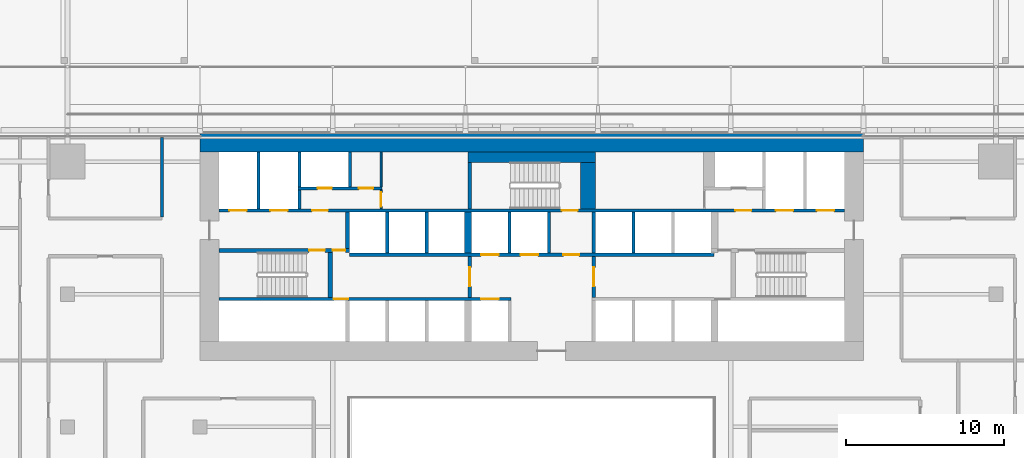
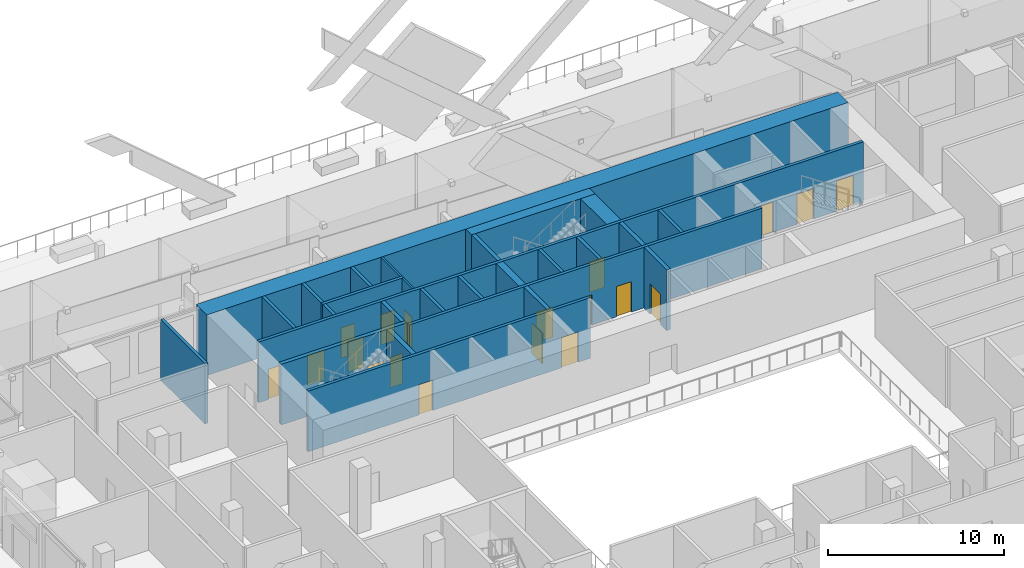
# One storey, part 25 of 60: 27 walls, 19 doors, 19 openings.
"""IFC4 building model written with IfcOpenShell, lengths in metres."""

import ifcopenshell
import ifcopenshell.guid

model = None  # the IFC model being written
_history = None  # IfcOwnerHistory: only IFC2X3 demands one
_inside = {}  # id of a spatial element -> (the spatial element, [elements in it])
_under = {}  # id of a project, library or spatial element -> (it, [spatial elements below it])
_declared = {}  # id of a project -> (the project, [libraries it declares])
_typed = {}  # id of a type object -> (the type object, [elements of that type])
_made_of = {}  # id of a material, layer set ... -> (it, [elements and type objects made of it])


def new_model(schema):
    """Start an empty IFC model of exactly this schema.

    Asked for "IFC4X3", IfcOpenShell would pick the latest addendum, in which some entities
    have other attributes; the version numbers below select the first issue.
    IFC2X3 requires an IfcOwnerHistory on every rooted entity: one is made here for all.
    """
    global model, _history
    if schema == "IFC4X3":
        model = ifcopenshell.file(schema_version=(4, 3, 0, 0))
    else:
        model = ifcopenshell.file(schema=schema)
    _inside.clear()
    _under.clear()
    _declared.clear()
    _typed.clear()
    _made_of.clear()
    _history = None
    if model.schema == "IFC2X3":
        org = make("IfcOrganization", Name="unknown")
        user = make(
            "IfcPersonAndOrganization",
            ThePerson=make("IfcPerson", FamilyName="unknown"),
            TheOrganization=org,
        )
        app = make(
            "IfcApplication",
            ApplicationDeveloper=org,
            Version="unknown",
            ApplicationFullName="unknown",
            ApplicationIdentifier="unknown",
        )
        _history = make(
            "IfcOwnerHistory",
            OwningUser=user,
            OwningApplication=app,
            ChangeAction="ADDED",
            CreationDate=0,
        )
    return model


def make(cls, **values):
    """One entity of the class cls with the attributes given. An attribute that is None is left unset."""
    return model.create_entity(
        cls, **{name: value for name, value in values.items() if value is not None}
    )


def rooted(cls, **values):
    """An entity with a GlobalId (a new one), such as an element, a storey or a relation."""
    return make(cls, GlobalId=ifcopenshell.guid.new(), OwnerHistory=_history, **values)


def si_unit(unit_type, name, prefix=None):
    """IfcSIUnit, for example si_unit("LENGTHUNIT", "METRE", prefix="MILLI")."""
    return make("IfcSIUnit", UnitType=unit_type, Prefix=prefix, Name=name)


def assignment(units):
    """IfcUnitAssignment: the units of a project."""
    return None if units is None else make("IfcUnitAssignment", Units=units)


def point(xyz):
    """IfcCartesianPoint."""
    return None if xyz is None else make("IfcCartesianPoint", Coordinates=xyz)


def direction(xyz):
    """IfcDirection."""
    return None if xyz is None else make("IfcDirection", DirectionRatios=xyz)


def frame(location, z_axis=None, x_axis=None):
    """IfcAxis2Placement3D, a coordinate frame: its origin and axes. An axis left out is left unset."""
    return make(
        "IfcAxis2Placement3D",
        Location=point(location),
        Axis=direction(z_axis),
        RefDirection=direction(x_axis),
    )


def frame_2d(location, x_axis=None):
    """IfcAxis2Placement2D, a coordinate frame in the plane: its origin and x axis."""
    return make(
        "IfcAxis2Placement2D", Location=point(location), RefDirection=direction(x_axis)
    )


def origin():
    """The frame at (0, 0, 0) with its axes left unset."""
    return frame((0.0, 0.0, 0.0))


def place(relative_to, where):
    """IfcLocalPlacement: puts the frame where relative to a parent placement (None: the world)."""
    return make(
        "IfcLocalPlacement", PlacementRelTo=relative_to, RelativePlacement=where
    )


def context(
    kind, dimensions, precision=None, world=None, true_north=None, identifier=None
):
    """IfcGeometricRepresentationContext, for example the 3D "Model" context."""
    return make(
        "IfcGeometricRepresentationContext",
        ContextIdentifier=identifier,
        ContextType=kind,
        CoordinateSpaceDimension=dimensions,
        Precision=precision,
        WorldCoordinateSystem=world,
        TrueNorth=true_north,
    )


def subcontext(parent, identifier, kind, view, scale=None):
    """IfcGeometricRepresentationSubContext, for example "Body" below "Model"."""
    return make(
        "IfcGeometricRepresentationSubContext",
        ContextIdentifier=identifier,
        ContextType=kind,
        ParentContext=parent,
        TargetScale=scale,
        TargetView=view,
    )


def project(units=None, contexts=None):
    """IfcProject with its units and contexts."""
    return rooted(
        "IfcProject",
        Name="project",
        RepresentationContexts=contexts,
        UnitsInContext=assignment(units),
    )


def spatial(cls, under=None, at=None, **own):
    """A site, building, storey or space (cls), placed at a placement, below another one or the project."""
    s = rooted(cls, ObjectPlacement=at, **own)
    if under is not None:
        _under.setdefault(under.id(), (under, []))[1].append(s)
    return s


def profile(cls, at=None, kind="AREA", **sizes):
    """A parametric profile (cls). Its sizes go by their IFC names, for example OverallWidth=200.0."""
    return make(cls, ProfileType=kind, Position=at, **sizes)


def rectangle(**sizes):
    """IfcRectangleProfileDef."""
    return profile("IfcRectangleProfileDef", **sizes)


def extrude(swept, where, along, depth):
    """IfcExtrudedAreaSolid: the profile swept, set in the frame where, extruded along a direction by depth."""
    return make(
        "IfcExtrudedAreaSolid",
        SweptArea=swept,
        Position=where,
        ExtrudedDirection=direction(along),
        Depth=depth,
    )


def shape(context_of_items, identifier, shape_type, items):
    """IfcShapeRepresentation: the items that make up one representation, for example the "Body"."""
    return make(
        "IfcShapeRepresentation",
        ContextOfItems=context_of_items,
        RepresentationIdentifier=identifier,
        RepresentationType=shape_type,
        Items=items,
    )


def material(Name=None, Category=None):
    """IfcMaterial."""
    return make("IfcMaterial", Name=Name, Category=Category)


def layer(
    of_material, thickness, ventilated=None, Name=None, Category=None, Priority=None
):
    """IfcMaterialLayer: one layer of a wall or slab, of a material (None: an air gap)."""
    return make(
        "IfcMaterialLayer",
        Material=of_material,
        LayerThickness=thickness,
        IsVentilated=ventilated,
        Name=Name,
        Category=Category,
        Priority=Priority,
    )


def layer_set(layers, Name=None):
    """IfcMaterialLayerSet."""
    return make("IfcMaterialLayerSet", MaterialLayers=layers, LayerSetName=Name)


def made_of(thing, what):
    """Note that an element or type object is made of a material, layer set ...; save() writes the relation."""
    if what is not None:
        _made_of.setdefault(what.id(), (what, []))[1].append(thing)
    return thing


def type_object(cls, material=None, **own):
    """A type object (cls), such as IfcWallType, which elements share."""
    return made_of(rooted(cls, **own), material)


def element(
    cls,
    number,
    at=None,
    inside=None,
    cuts=None,
    type_object=None,
    material=None,
    context=None,
    identifier="Body",
    shape_type=None,
    held_by="IfcProductDefinitionShape",
    body=None,
    shapes=None,
    **own,
):
    """One element of the class cls, such as IfcWall. Its Tag is "e" and its number.

    at: its placement. inside: the storey or other place that contains it. cuts: it is an
    opening in that element (IfcRelVoidsElement). A single representation is given by context,
    identifier, shape_type and body (its items); several are given by shapes. held_by: the class
    of the entity that holds the representations. save() writes the other relations.
    """
    e = rooted(cls, Tag="e%d" % number, ObjectPlacement=at, **own)
    if body is not None:
        shapes = [shape(context, identifier, shape_type, body)]
    if shapes is not None:
        e.Representation = make(held_by, Representations=shapes)
    if inside is not None:
        _inside.setdefault(inside.id(), (inside, []))[1].append(e)
    if cuts is not None:
        rooted(
            "IfcRelVoidsElement", RelatingBuildingElement=cuts, RelatedOpeningElement=e
        )
    if type_object is not None:
        _typed.setdefault(type_object.id(), (type_object, []))[1].append(e)
    return made_of(e, material)


def fill(opening, filler):
    """IfcRelFillsElement: the door or window that sits in an opening."""
    return rooted(
        "IfcRelFillsElement",
        RelatingOpeningElement=opening,
        RelatedBuildingElement=filler,
    )


def aggregate(whole, parts):
    """IfcRelAggregates: a whole, such as a stair, and the parts it consists of."""
    return rooted("IfcRelAggregates", RelatingObject=whole, RelatedObjects=parts)


def save(model, path):
    """Write the relations noted so far, then the file.

    IfcRelAggregates (storeys below a building ...), IfcRelContainedInSpatialStructure (elements
    in a storey), IfcRelDefinesByType, IfcRelAssociatesMaterial and IfcRelDeclares: one each for
    every whole, place, type object, material and project.
    """
    for whole, parts in _under.values():
        aggregate(whole, parts)
    for where, things in _inside.values():
        rooted(
            "IfcRelContainedInSpatialStructure",
            RelatedElements=things,
            RelatingStructure=where,
        )
    for kind, things in _typed.values():
        rooted("IfcRelDefinesByType", RelatedObjects=things, RelatingType=kind)
    for what, things in _made_of.values():
        rooted("IfcRelAssociatesMaterial", RelatedObjects=things, RelatingMaterial=what)
    for by, libraries in _declared.values():
        rooted("IfcRelDeclares", RelatingContext=by, RelatedDefinitions=libraries)
    model.write(path)


model = new_model("IFC4")

# Units and contexts
model_context = context("Model", 3, precision=1e-05, world=origin(), true_north=direction((0.0, 1.0)))
body_context = subcontext(model_context, "Body", "Model", "MODEL_VIEW")
ifc_project = project(units=[si_unit("LENGTHUNIT", "METRE"), si_unit("AREAUNIT", "SQUARE_METRE"), si_unit("VOLUMEUNIT", "CUBIC_METRE"), si_unit("PLANEANGLEUNIT", "RADIAN"), si_unit("MASSUNIT", "GRAM", prefix="KILO")], contexts=[model_context])

# Site, building, storey
site_placement = place(None, origin())
site = spatial("IfcSite", under=ifc_project, at=site_placement, CompositionType="ELEMENT")
building_placement = place(site_placement, origin())
building = spatial("IfcBuilding", under=site, at=building_placement, Name="Saffron Gate Tower", CompositionType="ELEMENT")
storey_placement = place(building_placement, frame((0.0, 0.0, 19.199951171875)))
storey = spatial("IfcBuildingStorey", under=building, at=storey_placement, Name="L03", CompositionType="ELEMENT", Elevation=19.199951171875)

# Wall
ifc_material_1 = material(Name="Concrete C70", Category="concrete")
ifc_layer_1 = layer(ifc_material_1, 1.199951171875)
ifc_layer_set_1 = layer_set([ifc_layer_1], Name="CW1 RC core wall 1200 C70")
wall_type_1 = type_object("IfcWallType", Name="CW1 RC core wall 1200 C70", PredefinedType="SOLIDWALL", material=ifc_layer_set_1)
wall_1_placement = place(storey_placement, frame((66.60009765625, 75.0, 0.0), z_axis=(0.0, 0.0, 1.0), x_axis=(1.0, 0.0, 0.0)))
element("IfcWall", 1, at=wall_1_placement, inside=storey, type_object=wall_type_1, Name="Wall CW1-L03-2", PredefinedType="SOLIDWALL", context=body_context, shape_type="SweptSolid", body=[
    extrude(rectangle(XDim=42.0, YDim=1.199951171875, at=frame_2d((21.0, 0.0))), origin(), (0.0, 0.0, 1.0), 4.199951171875),
])

# Wall, opening, door
ifc_layer_2 = layer(ifc_material_1, 0.25)
ifc_layer_set_2 = layer_set([ifc_layer_2], Name="CW2 RC core wall 250 C70")
wall_type_2 = type_object("IfcWallType", Name="CW2 RC core wall 250 C70", PredefinedType="SOLIDWALL", material=ifc_layer_set_2)
wall_2_placement = place(storey_placement, frame((83.675048828125, 65.199951171875, 0.0), z_axis=(0.0, 0.0, 1.0), x_axis=(0.0, 1.0, 0.0)))
wall_2 = element("IfcWall", 2, at=wall_2_placement, inside=storey, type_object=wall_type_2, Name="Wall CW2-L03-17", PredefinedType="SOLIDWALL", context=body_context, shape_type="SweptSolid", body=[
    extrude(rectangle(XDim=2.60009765625, YDim=0.25, at=frame_2d((1.300048828125, 0.0))), origin(), (0.0, 0.0, 1.0), 4.199951171875),
])
opening_1_placement = place(wall_2_placement, frame((0.699951171875, 0.0, 0.0)))
opening_1 = element("IfcOpeningElement", 3, at=opening_1_placement, cuts=wall_2, Name="Opening CR-07", PredefinedType="OPENING", context=body_context, shape_type="SweptSolid", body=[
    extrude(rectangle(XDim=1.199951171875, YDim=2.10009765625, at=frame_2d((0.60009765625, 1.050048828125))), frame((0.0, 0.135009765625, 0.0), z_axis=(0.0, -1.0, 0.0), x_axis=(1.0, 0.0, 0.0)), (0.0, 0.0, 1.0), 0.27001953125),
])
ifc_material_2 = material(Name="Steel fire door set", Category="steel")
door_type_1 = type_object("IfcDoorType", Name="CD3 Lobby door 1200x2100 EI 120", OperationType="NOTDEFINED", PredefinedType="DOOR", material=ifc_material_2)
door_1_placement = place(opening_1_placement, origin())
door_1 = element("IfcDoor", 4, at=door_1_placement, inside=storey, type_object=door_type_1, Name="DOOR CR-07", OperationType="SINGLE_SWING_RIGHT", OverallHeight=2.10009765625, OverallWidth=1.199951171875, PredefinedType="DOOR", context=body_context, shape_type="SweptSolid", body=[
    extrude(rectangle(XDim=1.199951171875, YDim=2.10009765625, at=frame_2d((0.60009765625, 1.050048828125))), frame((0.0, 0.02490234375, 0.0), z_axis=(0.0, -1.0, 0.0), x_axis=(1.0, 0.0, 0.0)), (0.0, 0.0, 1.0), 0.050048828125),
])
fill(opening_1, door_1)

wall_3_placement = place(storey_placement, frame((91.52490234375, 65.199951171875, 0.0), z_axis=(0.0, 0.0, 1.0), x_axis=(0.0, 1.0, 0.0)))
wall_3 = element("IfcWall", 5, at=wall_3_placement, inside=storey, type_object=wall_type_2, Name="Wall CW2-L03-18", PredefinedType="SOLIDWALL", context=body_context, shape_type="SweptSolid", body=[
    extrude(rectangle(XDim=2.60009765625, YDim=0.25, at=frame_2d((1.300048828125, 0.0))), origin(), (0.0, 0.0, 1.0), 4.199951171875),
])
opening_2_placement = place(wall_3_placement, frame((0.699951171875, 0.0, 0.0)))
opening_2 = element("IfcOpeningElement", 6, at=opening_2_placement, cuts=wall_3, Name="Opening CR-01", PredefinedType="OPENING", context=body_context, shape_type="SweptSolid", body=[
    extrude(rectangle(XDim=1.199951171875, YDim=2.10009765625, at=frame_2d((0.60009765625, 1.050048828125))), frame((0.0, 0.135009765625, 0.0), z_axis=(0.0, -1.0, 0.0), x_axis=(1.0, 0.0, 0.0)), (0.0, 0.0, 1.0), 0.27001953125),
])
door_2_placement = place(opening_2_placement, origin())
door_2 = element("IfcDoor", 7, at=door_2_placement, inside=storey, type_object=door_type_1, Name="DOOR CR-01", OperationType="SINGLE_SWING_RIGHT", OverallHeight=2.10009765625, OverallWidth=1.199951171875, PredefinedType="DOOR", context=body_context, shape_type="SweptSolid", body=[
    extrude(rectangle(XDim=1.199951171875, YDim=2.10009765625, at=frame_2d((0.60009765625, 1.050048828125))), frame((0.0, 0.02490234375, 0.0), z_axis=(0.0, -1.0, 0.0), x_axis=(1.0, 0.0, 0.0)), (0.0, 0.0, 1.0), 0.050048828125),
])
fill(opening_2, door_2)

# Wall
wall_4_placement = place(storey_placement, frame((91.52490234375, 68.0, 0.0), z_axis=(0.0, 0.0, 1.0), x_axis=(0.0, 1.0, 0.0)))
element("IfcWall", 8, at=wall_4_placement, inside=storey, type_object=wall_type_2, Name="Wall CW2-L03-26", PredefinedType="SOLIDWALL", context=body_context, shape_type="SweptSolid", body=[
    extrude(rectangle(XDim=2.60009765625, YDim=0.25, at=frame_2d((1.300048828125, 0.0))), origin(), (0.0, 0.0, 1.0), 4.199951171875),
])

# Wall, openings, doors
wall_5_placement = place(storey_placement, frame((67.800048828125, 68.175048828125, 0.0), z_axis=(0.0, 0.0, 1.0), x_axis=(1.0, 0.0, 0.0)))
wall_5 = element("IfcWall", 9, at=wall_5_placement, inside=storey, type_object=wall_type_2, Name="Wall CW2-L03-30", PredefinedType="SOLIDWALL", context=body_context, shape_type="SweptSolid", body=[
    extrude(rectangle(XDim=8.25, YDim=0.25, at=frame_2d((4.125, 0.0))), origin(), (0.0, 0.0, 1.0), 4.199951171875),
])
opening_3_placement = place(wall_5_placement, frame((5.699951171875, 0.0, 0.0)))
opening_3 = element("IfcOpeningElement", 10, at=opening_3_placement, cuts=wall_5, Name="Opening CR-15", PredefinedType="OPENING", context=body_context, shape_type="SweptSolid", body=[
    extrude(rectangle(XDim=1.0, YDim=2.10009765625, at=frame_2d((0.5, 1.050048828125))), frame((0.0, 0.135009765625, 0.0), z_axis=(0.0, -1.0, 0.0), x_axis=(1.0, 0.0, 0.0)), (0.0, 0.0, 1.0), 0.27001953125),
])
opening_4_placement = place(wall_5_placement, frame((7.199951171875, 0.0, 0.0)))
opening_4 = element("IfcOpeningElement", 11, at=opening_4_placement, cuts=wall_5, Name="Opening CR-06", PredefinedType="OPENING", context=body_context, shape_type="SweptSolid", body=[
    extrude(rectangle(XDim=0.800048828125, YDim=2.10009765625, at=frame_2d((0.39990234375, 1.050048828125))), frame((0.0, 0.135009765625, 0.0), z_axis=(0.0, -1.0, 0.0), x_axis=(1.0, 0.0, 0.0)), (0.0, 0.0, 1.0), 0.27001953125),
])
door_type_2 = type_object("IfcDoorType", Name="CD5 Stair door 1000x2100 EI 120", OperationType="NOTDEFINED", PredefinedType="DOOR", material=ifc_material_2)
door_3_placement = place(opening_3_placement, origin())
door_3 = element("IfcDoor", 12, at=door_3_placement, inside=storey, type_object=door_type_2, Name="DOOR CR-15", OperationType="SINGLE_SWING_RIGHT", OverallHeight=2.10009765625, OverallWidth=1.0, PredefinedType="DOOR", context=body_context, shape_type="SweptSolid", body=[
    extrude(rectangle(XDim=1.0, YDim=2.10009765625, at=frame_2d((0.5, 1.050048828125))), frame((0.0, 0.02490234375, 0.0), z_axis=(0.0, -1.0, 0.0), x_axis=(1.0, 0.0, 0.0)), (0.0, 0.0, 1.0), 0.050048828125),
])
fill(opening_3, door_3)
door_type_3 = type_object("IfcDoorType", Name="CD6 Lobby door 800x2100 EI 120", OperationType="NOTDEFINED", PredefinedType="DOOR", material=ifc_material_2)
door_4_placement = place(opening_4_placement, origin())
door_4 = element("IfcDoor", 13, at=door_4_placement, inside=storey, type_object=door_type_3, Name="DOOR CR-06", OperationType="SINGLE_SWING_LEFT", OverallHeight=2.10009765625, OverallWidth=0.800048828125, PredefinedType="DOOR", context=body_context, shape_type="SweptSolid", body=[
    extrude(rectangle(XDim=0.800048828125, YDim=2.10009765625, at=frame_2d((0.39990234375, 1.050048828125))), frame((0.0, 0.02490234375, 0.0), z_axis=(0.0, -1.0, 0.0), x_axis=(1.0, 0.0, 0.0)), (0.0, 0.0, 1.0), 0.050048828125),
])
fill(opening_4, door_4)

# Walls
wall_6_placement = place(storey_placement, frame((75.925048828125, 68.300048828125, 0.0), z_axis=(0.0, 0.0, 1.0), x_axis=(0.0, 1.0, 0.0)))
element("IfcWall", 14, at=wall_6_placement, inside=storey, type_object=wall_type_2, Name="Wall CW2-L03-32", PredefinedType="SOLIDWALL", context=body_context, shape_type="SweptSolid", body=[
    extrude(rectangle(XDim=2.300048828125, YDim=0.25, at=frame_2d((1.14990234375, 0.0))), origin(), (0.0, 0.0, 1.0), 4.199951171875),
])
wall_7_placement = place(storey_placement, frame((83.675048828125, 70.800048828125, 0.0), z_axis=(0.0, 0.0, 1.0), x_axis=(0.0, 1.0, 0.0)))
element("IfcWall", 15, at=wall_7_placement, inside=storey, type_object=wall_type_2, Name="Wall CW2-L03-38", PredefinedType="SOLIDWALL", context=body_context, shape_type="SweptSolid", body=[
    extrude(rectangle(XDim=2.949951171875, YDim=0.25, at=frame_2d((1.47509765625, 0.0))), origin(), (0.0, 0.0, 1.0), 4.199951171875),
])

# Wall, openings, doors
ifc_layer_3 = layer(ifc_material_1, 0.199951171875)
ifc_layer_set_3 = layer_set([ifc_layer_3], Name="CW3 RC core wall 200 C70")
wall_type_3 = type_object("IfcWallType", Name="CW3 RC core wall 200 C70", PredefinedType="SOLIDWALL", material=ifc_layer_set_3)
wall_8_placement = place(storey_placement, frame((67.800048828125, 65.10009765625, 0.0), z_axis=(0.0, 0.0, 1.0), x_axis=(1.0, 0.0, 0.0)))
wall_8 = element("IfcWall", 16, at=wall_8_placement, inside=storey, type_object=wall_type_3, Name="Wall CW3-L03-14", PredefinedType="SOLIDWALL", context=body_context, shape_type="SweptSolid", body=[
    extrude(rectangle(XDim=18.5, YDim=0.199951171875, at=frame_2d((9.25, 0.0))), origin(), (0.0, 0.0, 1.0), 4.199951171875),
])
opening_5_placement = place(wall_8_placement, frame((7.27001953125, 0.0, 0.0)))
opening_5 = element("IfcOpeningElement", 17, at=opening_5_placement, cuts=wall_8, Name="Opening CR-49", PredefinedType="OPENING", context=body_context, shape_type="SweptSolid", body=[
    extrude(rectangle(XDim=0.89990234375, YDim=2.10009765625, at=frame_2d((0.449951171875, 1.050048828125))), frame((0.0, 0.10986328125, 0.0), z_axis=(0.0, -1.0, 0.0), x_axis=(1.0, 0.0, 0.0)), (0.0, 0.0, 1.0), 0.219970703125),
])
opening_6_placement = place(wall_8_placement, frame((16.60009765625, 0.0, 0.0)))
opening_6 = element("IfcOpeningElement", 18, at=opening_6_placement, cuts=wall_8, Name="Opening LD-SL3", PredefinedType="OPENING", context=body_context, shape_type="SweptSolid", body=[
    extrude(rectangle(XDim=1.10009765625, YDim=2.10009765625, at=frame_2d((0.550048828125, 1.050048828125))), frame((0.0, 0.10986328125, 0.0), z_axis=(0.0, -1.0, 0.0), x_axis=(1.0, 0.0, 0.0)), (0.0, 0.0, 1.0), 0.219970703125),
])
door_type_4 = type_object("IfcDoorType", Name="CD2 Riser door 900x2100 EI 60", OperationType="NOTDEFINED", PredefinedType="DOOR", material=ifc_material_2)
door_5_placement = place(opening_5_placement, origin())
door_5 = element("IfcDoor", 19, at=door_5_placement, inside=storey, type_object=door_type_4, Name="DOOR CR-49", OperationType="SINGLE_SWING_LEFT", OverallHeight=2.10009765625, OverallWidth=0.89990234375, PredefinedType="DOOR", context=body_context, shape_type="SweptSolid", body=[
    extrude(rectangle(XDim=0.89990234375, YDim=2.10009765625, at=frame_2d((0.449951171875, 1.050048828125))), frame((0.0, 0.02490234375, 0.0), z_axis=(0.0, -1.0, 0.0), x_axis=(1.0, 0.0, 0.0)), (0.0, 0.0, 1.0), 0.050048828125),
])
fill(opening_5, door_5)
ifc_material_3 = material(Name="Stainless steel landing door", Category="steel")
door_type_5 = type_object("IfcDoorType", Name="LD Lift landing door 1100x2100 EI 120", OperationType="SLIDING_TO_LEFT", PredefinedType="DOOR", material=ifc_material_3)
door_6_placement = place(opening_6_placement, origin())
door_6 = element("IfcDoor", 20, at=door_6_placement, inside=storey, type_object=door_type_5, Name="LANDING DOOR LD-SL3", OperationType="SLIDING_TO_LEFT", OverallHeight=2.10009765625, OverallWidth=1.10009765625, PredefinedType="DOOR", context=body_context, shape_type="SweptSolid", body=[
    extrude(rectangle(XDim=1.10009765625, YDim=2.10009765625, at=frame_2d((0.550048828125, 1.050048828125))), frame((0.0, 0.02490234375, 0.0), z_axis=(0.0, -1.0, 0.0), x_axis=(1.0, 0.0, 0.0)), (0.0, 0.0, 1.0), 0.050048828125),
])
fill(opening_6, door_6)

wall_9_placement = place(storey_placement, frame((76.050048828125, 67.89990234375, 0.0), z_axis=(0.0, 0.0, 1.0), x_axis=(1.0, 0.0, 0.0)))
wall_9 = element("IfcWall", 21, at=wall_9_placement, inside=storey, type_object=wall_type_3, Name="Wall CW3-L03-20", PredefinedType="SOLIDWALL", context=body_context, shape_type="SweptSolid", body=[
    extrude(rectangle(XDim=23.099853515625, YDim=0.199951171875, at=frame_2d((11.5498046875, 0.0))), origin(), (0.0, 0.0, 1.0), 4.199951171875),
])
opening_7_placement = place(wall_9_placement, frame((8.35009765625, 0.0, 0.0)))
opening_7 = element("IfcOpeningElement", 22, at=opening_7_placement, cuts=wall_9, Name="Opening LD-SL1", PredefinedType="OPENING", context=body_context, shape_type="SweptSolid", body=[
    extrude(rectangle(XDim=1.10009765625, YDim=2.10009765625, at=frame_2d((0.550048828125, 1.050048828125))), frame((0.0, 0.10986328125, 0.0), z_axis=(0.0, -1.0, 0.0), x_axis=(1.0, 0.0, 0.0)), (0.0, 0.0, 1.0), 0.219970703125),
])
opening_8_placement = place(wall_9_placement, frame((10.85009765625, 0.0, 0.0)))
opening_8 = element("IfcOpeningElement", 23, at=opening_8_placement, cuts=wall_9, Name="Opening LD-SL2", PredefinedType="OPENING", context=body_context, shape_type="SweptSolid", body=[
    extrude(rectangle(XDim=1.10009765625, YDim=2.10009765625, at=frame_2d((0.550048828125, 1.050048828125))), frame((0.0, 0.10986328125, 0.0), z_axis=(0.0, -1.0, 0.0), x_axis=(1.0, 0.0, 0.0)), (0.0, 0.0, 1.0), 0.219970703125),
])
opening_9_placement = place(wall_9_placement, frame((13.550048828125, 0.0, 0.0)))
opening_9 = element("IfcOpeningElement", 24, at=opening_9_placement, cuts=wall_9, Name="Opening CR-02", PredefinedType="OPENING", context=body_context, shape_type="SweptSolid", body=[
    extrude(rectangle(XDim=1.0, YDim=2.10009765625, at=frame_2d((0.5, 1.050048828125))), frame((0.0, 0.10986328125, 0.0), z_axis=(0.0, -1.0, 0.0), x_axis=(1.0, 0.0, 0.0)), (0.0, 0.0, 1.0), 0.219970703125),
])
door_type_6 = type_object("IfcDoorType", Name="CD4 Lobby door 1000x2100 EI 120", OperationType="NOTDEFINED", PredefinedType="DOOR", material=ifc_material_2)
door_7_placement = place(opening_9_placement, origin())
door_7 = element("IfcDoor", 25, at=door_7_placement, inside=storey, type_object=door_type_6, Name="DOOR CR-02", OperationType="SINGLE_SWING_LEFT", OverallHeight=2.10009765625, OverallWidth=1.0, PredefinedType="DOOR", context=body_context, shape_type="SweptSolid", body=[
    extrude(rectangle(XDim=1.0, YDim=2.10009765625, at=frame_2d((0.5, 1.050048828125))), frame((0.0, 0.02490234375, 0.0), z_axis=(0.0, -1.0, 0.0), x_axis=(1.0, 0.0, 0.0)), (0.0, 0.0, 1.0), 0.050048828125),
])
fill(opening_9, door_7)
door_8_placement = place(opening_7_placement, origin())
door_8 = element("IfcDoor", 26, at=door_8_placement, inside=storey, type_object=door_type_5, Name="LANDING DOOR LD-SL1", OperationType="SLIDING_TO_RIGHT", OverallHeight=2.10009765625, OverallWidth=1.10009765625, PredefinedType="DOOR", context=body_context, shape_type="SweptSolid", body=[
    extrude(rectangle(XDim=1.10009765625, YDim=2.10009765625, at=frame_2d((0.550048828125, 1.050048828125))), frame((0.0, 0.02490234375, 0.0), z_axis=(0.0, -1.0, 0.0), x_axis=(1.0, 0.0, 0.0)), (0.0, 0.0, 1.0), 0.050048828125),
])
fill(opening_7, door_8)
door_9_placement = place(opening_8_placement, origin())
door_9 = element("IfcDoor", 27, at=door_9_placement, inside=storey, type_object=door_type_5, Name="LANDING DOOR LD-SL2", OperationType="SLIDING_TO_RIGHT", OverallHeight=2.10009765625, OverallWidth=1.10009765625, PredefinedType="DOOR", context=body_context, shape_type="SweptSolid", body=[
    extrude(rectangle(XDim=1.10009765625, YDim=2.10009765625, at=frame_2d((0.550048828125, 1.050048828125))), frame((0.0, 0.02490234375, 0.0), z_axis=(0.0, -1.0, 0.0), x_axis=(1.0, 0.0, 0.0)), (0.0, 0.0, 1.0), 0.050048828125),
])
fill(opening_8, door_9)

# Walls
for number, where, z_axis, x_axis, name in (
    (28, (78.449951171875, 68.0, 0.0), (0.0, 0.0, 1.0), (0.0, 1.0, 0.0), "Wall CW3-L03-21"),
    (29, (80.949951171875, 68.0, 0.0), (0.0, 0.0, 1.0), (0.0, 1.0, 0.0), "Wall CW3-L03-22"),
    (30, (86.199951171875, 68.0, 0.0), (0.0, 0.0, 1.0), (0.0, 1.0, 0.0), "Wall CW3-L03-24"),
    (31, (88.699951171875, 68.0, 0.0), (0.0, 0.0, 1.0), (0.0, 1.0, 0.0), "Wall CW3-L03-25"),
    (32, (94.050048828125, 68.0, 0.0), (0.0, 0.0, 1.0), (0.0, 1.0, 0.0), "Wall CW3-L03-27"),
):
    element("IfcWall", number, at=place(storey_placement, frame(where, z_axis=z_axis, x_axis=x_axis)), inside=storey, type_object=wall_type_3, Name=name, PredefinedType="SOLIDWALL", context=body_context, shape_type="SweptSolid", body=[
        extrude(rectangle(XDim=2.60009765625, YDim=0.199951171875, at=frame_2d((1.300048828125, 0.0))), origin(), (0.0, 0.0, 1.0), 4.199951171875),
    ])

# Wall, openings, doors
wall_10_placement = place(storey_placement, frame((67.800048828125, 70.699951171875, 0.0), z_axis=(0.0, 0.0, 1.0), x_axis=(1.0, 0.0, 0.0)))
wall_10 = element("IfcWall", 33, at=wall_10_placement, inside=storey, type_object=wall_type_3, Name="Wall CW3-L03-34", PredefinedType="SOLIDWALL", context=body_context, shape_type="SweptSolid", body=[
    extrude(rectangle(XDim=39.599853515625, YDim=0.199951171875, at=frame_2d((19.7998046875, 0.0))), origin(), (0.0, 0.0, 1.0), 4.199951171875),
])
opening_10_placement = place(wall_10_placement, frame((0.64990234375, 0.0, 0.0)))
opening_10 = element("IfcOpeningElement", 34, at=opening_10_placement, cuts=wall_10, Name="Opening LD-FF1", PredefinedType="OPENING", context=body_context, shape_type="SweptSolid", body=[
    extrude(rectangle(XDim=1.10009765625, YDim=2.10009765625, at=frame_2d((0.550048828125, 1.050048828125))), frame((0.0, 0.10986328125, 0.0), z_axis=(0.0, -1.0, 0.0), x_axis=(1.0, 0.0, 0.0)), (0.0, 0.0, 1.0), 0.219970703125),
])
opening_11_placement = place(wall_10_placement, frame((3.25, 0.0, 0.0)))
opening_11 = element("IfcOpeningElement", 35, at=opening_11_placement, cuts=wall_10, Name="Opening LD-SV1", PredefinedType="OPENING", context=body_context, shape_type="SweptSolid", body=[
    extrude(rectangle(XDim=1.10009765625, YDim=2.10009765625, at=frame_2d((0.550048828125, 1.050048828125))), frame((0.0, 0.10986328125, 0.0), z_axis=(0.0, -1.0, 0.0), x_axis=(1.0, 0.0, 0.0)), (0.0, 0.0, 1.0), 0.219970703125),
])
opening_12_placement = place(wall_10_placement, frame((5.89990234375, 0.0, 0.0)))
opening_12 = element("IfcOpeningElement", 36, at=opening_12_placement, cuts=wall_10, Name="Opening CR-03", PredefinedType="OPENING", context=body_context, shape_type="SweptSolid", body=[
    extrude(rectangle(XDim=1.0, YDim=2.10009765625, at=frame_2d((0.5, 1.050048828125))), frame((0.0, 0.10986328125, 0.0), z_axis=(0.0, -1.0, 0.0), x_axis=(1.0, 0.0, 0.0)), (0.0, 0.0, 1.0), 0.219970703125),
])
opening_13_placement = place(wall_10_placement, frame((21.699951171875, 0.0, 0.0)))
opening_13 = element("IfcOpeningElement", 37, at=opening_13_placement, cuts=wall_10, Name="Opening CR-17", PredefinedType="OPENING", context=body_context, shape_type="SweptSolid", body=[
    extrude(rectangle(XDim=1.0, YDim=2.10009765625, at=frame_2d((0.5, 1.050048828125))), frame((0.0, 0.10986328125, 0.0), z_axis=(0.0, -1.0, 0.0), x_axis=(1.0, 0.0, 0.0)), (0.0, 0.0, 1.0), 0.219970703125),
])
opening_14_placement = place(wall_10_placement, frame((32.699951171875, 0.0, 0.0)))
opening_14 = element("IfcOpeningElement", 38, at=opening_14_placement, cuts=wall_10, Name="Opening CR-04", PredefinedType="OPENING", context=body_context, shape_type="SweptSolid", body=[
    extrude(rectangle(XDim=1.0, YDim=2.10009765625, at=frame_2d((0.5, 1.050048828125))), frame((0.0, 0.10986328125, 0.0), z_axis=(0.0, -1.0, 0.0), x_axis=(1.0, 0.0, 0.0)), (0.0, 0.0, 1.0), 0.219970703125),
])
opening_15_placement = place(wall_10_placement, frame((35.25, 0.0, 0.0)))
opening_15 = element("IfcOpeningElement", 39, at=opening_15_placement, cuts=wall_10, Name="Opening LD-SV2", PredefinedType="OPENING", context=body_context, shape_type="SweptSolid", body=[
    extrude(rectangle(XDim=1.10009765625, YDim=2.10009765625, at=frame_2d((0.550048828125, 1.050048828125))), frame((0.0, 0.10986328125, 0.0), z_axis=(0.0, -1.0, 0.0), x_axis=(1.0, 0.0, 0.0)), (0.0, 0.0, 1.0), 0.219970703125),
])
opening_16_placement = place(wall_10_placement, frame((37.85009765625, 0.0, 0.0)))
opening_16 = element("IfcOpeningElement", 40, at=opening_16_placement, cuts=wall_10, Name="Opening LD-FF2", PredefinedType="OPENING", context=body_context, shape_type="SweptSolid", body=[
    extrude(rectangle(XDim=1.10009765625, YDim=2.10009765625, at=frame_2d((0.550048828125, 1.050048828125))), frame((0.0, 0.10986328125, 0.0), z_axis=(0.0, -1.0, 0.0), x_axis=(1.0, 0.0, 0.0)), (0.0, 0.0, 1.0), 0.219970703125),
])
door_10_placement = place(opening_12_placement, origin())
door_10 = element("IfcDoor", 41, at=door_10_placement, inside=storey, type_object=door_type_6, Name="DOOR CR-03", OperationType="SINGLE_SWING_LEFT", OverallHeight=2.10009765625, OverallWidth=1.0, PredefinedType="DOOR", context=body_context, shape_type="SweptSolid", body=[
    extrude(rectangle(XDim=1.0, YDim=2.10009765625, at=frame_2d((0.5, 1.050048828125))), frame((0.0, 0.02490234375, 0.0), z_axis=(0.0, -1.0, 0.0), x_axis=(1.0, 0.0, 0.0)), (0.0, 0.0, 1.0), 0.050048828125),
])
fill(opening_12, door_10)
door_11_placement = place(opening_14_placement, origin())
door_11 = element("IfcDoor", 42, at=door_11_placement, inside=storey, type_object=door_type_6, Name="DOOR CR-04", OperationType="SINGLE_SWING_RIGHT", OverallHeight=2.10009765625, OverallWidth=1.0, PredefinedType="DOOR", context=body_context, shape_type="SweptSolid", body=[
    extrude(rectangle(XDim=1.0, YDim=2.10009765625, at=frame_2d((0.5, 1.050048828125))), frame((0.0, 0.02490234375, 0.0), z_axis=(0.0, -1.0, 0.0), x_axis=(1.0, 0.0, 0.0)), (0.0, 0.0, 1.0), 0.050048828125),
])
fill(opening_14, door_11)
door_12_placement = place(opening_13_placement, origin())
door_12 = element("IfcDoor", 43, at=door_12_placement, inside=storey, type_object=door_type_2, Name="DOOR CR-17", OperationType="SINGLE_SWING_RIGHT", OverallHeight=2.10009765625, OverallWidth=1.0, PredefinedType="DOOR", context=body_context, shape_type="SweptSolid", body=[
    extrude(rectangle(XDim=1.0, YDim=2.10009765625, at=frame_2d((0.5, 1.050048828125))), frame((0.0, 0.02490234375, 0.0), z_axis=(0.0, -1.0, 0.0), x_axis=(1.0, 0.0, 0.0)), (0.0, 0.0, 1.0), 0.050048828125),
])
fill(opening_13, door_12)
door_13_placement = place(opening_10_placement, origin())
door_13 = element("IfcDoor", 44, at=door_13_placement, inside=storey, type_object=door_type_5, Name="LANDING DOOR LD-FF1", OperationType="SLIDING_TO_RIGHT", OverallHeight=2.10009765625, OverallWidth=1.10009765625, PredefinedType="DOOR", context=body_context, shape_type="SweptSolid", body=[
    extrude(rectangle(XDim=1.10009765625, YDim=2.10009765625, at=frame_2d((0.550048828125, 1.050048828125))), frame((0.0, 0.02490234375, 0.0), z_axis=(0.0, -1.0, 0.0), x_axis=(1.0, 0.0, 0.0)), (0.0, 0.0, 1.0), 0.050048828125),
])
fill(opening_10, door_13)
door_14_placement = place(opening_11_placement, origin())
door_14 = element("IfcDoor", 45, at=door_14_placement, inside=storey, type_object=door_type_5, Name="LANDING DOOR LD-SV1", OperationType="SLIDING_TO_RIGHT", OverallHeight=2.10009765625, OverallWidth=1.10009765625, PredefinedType="DOOR", context=body_context, shape_type="SweptSolid", body=[
    extrude(rectangle(XDim=1.10009765625, YDim=2.10009765625, at=frame_2d((0.550048828125, 1.050048828125))), frame((0.0, 0.02490234375, 0.0), z_axis=(0.0, -1.0, 0.0), x_axis=(1.0, 0.0, 0.0)), (0.0, 0.0, 1.0), 0.050048828125),
])
fill(opening_11, door_14)
door_15_placement = place(opening_15_placement, origin())
door_15 = element("IfcDoor", 46, at=door_15_placement, inside=storey, type_object=door_type_5, Name="LANDING DOOR LD-SV2", OperationType="SLIDING_TO_RIGHT", OverallHeight=2.10009765625, OverallWidth=1.10009765625, PredefinedType="DOOR", context=body_context, shape_type="SweptSolid", body=[
    extrude(rectangle(XDim=1.10009765625, YDim=2.10009765625, at=frame_2d((0.550048828125, 1.050048828125))), frame((0.0, 0.02490234375, 0.0), z_axis=(0.0, -1.0, 0.0), x_axis=(1.0, 0.0, 0.0)), (0.0, 0.0, 1.0), 0.050048828125),
])
fill(opening_15, door_15)
door_16_placement = place(opening_16_placement, origin())
door_16 = element("IfcDoor", 47, at=door_16_placement, inside=storey, type_object=door_type_5, Name="LANDING DOOR LD-FF2", OperationType="SLIDING_TO_RIGHT", OverallHeight=2.10009765625, OverallWidth=1.10009765625, PredefinedType="DOOR", context=body_context, shape_type="SweptSolid", body=[
    extrude(rectangle(XDim=1.10009765625, YDim=2.10009765625, at=frame_2d((0.550048828125, 1.050048828125))), frame((0.0, 0.02490234375, 0.0), z_axis=(0.0, -1.0, 0.0), x_axis=(1.0, 0.0, 0.0)), (0.0, 0.0, 1.0), 0.050048828125),
])
fill(opening_16, door_16)

# Walls
wall_11_placement = place(storey_placement, frame((70.300048828125, 70.800048828125, 0.0), z_axis=(0.0, 0.0, 1.0), x_axis=(0.0, 1.0, 0.0)))
element("IfcWall", 48, at=wall_11_placement, inside=storey, type_object=wall_type_3, Name="Wall CW3-L03-35", PredefinedType="SOLIDWALL", context=body_context, shape_type="SweptSolid", body=[
    extrude(rectangle(XDim=3.599853515625, YDim=0.199951171875, at=frame_2d((1.7998046875, 0.0))), origin(), (0.0, 0.0, 1.0), 4.199951171875),
])
wall_12_placement = place(storey_placement, frame((72.89990234375, 70.800048828125, 0.0), z_axis=(0.0, 0.0, 1.0), x_axis=(0.0, 1.0, 0.0)))
element("IfcWall", 49, at=wall_12_placement, inside=storey, type_object=wall_type_3, Name="Wall CW3-L03-36", PredefinedType="SOLIDWALL", context=body_context, shape_type="SweptSolid", body=[
    extrude(rectangle(XDim=1.199951171875, YDim=0.199951171875, at=frame_2d((0.60009765625, 0.0))), origin(), (0.0, 0.0, 1.0), 4.199951171875),
])

# Wall, openings, doors
wall_13_placement = place(storey_placement, frame((72.800048828125, 72.10009765625, 0.0), z_axis=(0.0, 0.0, 1.0), x_axis=(1.0, 0.0, 0.0)))
wall_13 = element("IfcWall", 50, at=wall_13_placement, inside=storey, type_object=wall_type_3, Name="Wall CW3-L03-43", PredefinedType="SOLIDWALL", context=body_context, shape_type="SweptSolid", body=[
    extrude(rectangle(XDim=5.320068359375, YDim=0.199951171875, at=frame_2d((2.66015625, 0.0))), origin(), (0.0, 0.0, 1.0), 4.199951171875),
])
opening_17_placement = place(wall_13_placement, frame((1.25, 0.0, 0.0)))
opening_17 = element("IfcOpeningElement", 51, at=opening_17_placement, cuts=wall_13, Name="Opening CR-71", PredefinedType="OPENING", context=body_context, shape_type="SweptSolid", body=[
    extrude(rectangle(XDim=0.89990234375, YDim=2.10009765625, at=frame_2d((0.449951171875, 1.050048828125))), frame((0.0, 0.10986328125, 0.0), z_axis=(0.0, -1.0, 0.0), x_axis=(1.0, 0.0, 0.0)), (0.0, 0.0, 1.0), 0.219970703125),
])
opening_18_placement = place(wall_13_placement, frame((3.85009765625, 0.0, 0.0)))
opening_18 = element("IfcOpeningElement", 52, at=opening_18_placement, cuts=wall_13, Name="Opening CR-55", PredefinedType="OPENING", context=body_context, shape_type="SweptSolid", body=[
    extrude(rectangle(XDim=0.89990234375, YDim=2.10009765625, at=frame_2d((0.449951171875, 1.050048828125))), frame((0.0, 0.10986328125, 0.0), z_axis=(0.0, -1.0, 0.0), x_axis=(1.0, 0.0, 0.0)), (0.0, 0.0, 1.0), 0.219970703125),
])
door_17_placement = place(opening_17_placement, origin())
door_17 = element("IfcDoor", 53, at=door_17_placement, inside=storey, type_object=door_type_4, Name="DOOR CR-71", OperationType="SINGLE_SWING_LEFT", OverallHeight=2.10009765625, OverallWidth=0.89990234375, PredefinedType="DOOR", context=body_context, shape_type="SweptSolid", body=[
    extrude(rectangle(XDim=0.89990234375, YDim=2.10009765625, at=frame_2d((0.449951171875, 1.050048828125))), frame((0.0, 0.02490234375, 0.0), z_axis=(0.0, -1.0, 0.0), x_axis=(1.0, 0.0, 0.0)), (0.0, 0.0, 1.0), 0.050048828125),
])
fill(opening_17, door_17)
door_type_7 = type_object("IfcDoorType", Name="CD9 Room door 900x2100 EI 60", OperationType="NOTDEFINED", PredefinedType="DOOR", material=ifc_material_2)
door_18_placement = place(opening_18_placement, origin())
door_18 = element("IfcDoor", 54, at=door_18_placement, inside=storey, type_object=door_type_7, Name="DOOR CR-55", OperationType="SINGLE_SWING_LEFT", OverallHeight=2.10009765625, OverallWidth=0.89990234375, PredefinedType="DOOR", context=body_context, shape_type="SweptSolid", body=[
    extrude(rectangle(XDim=0.89990234375, YDim=2.10009765625, at=frame_2d((0.449951171875, 1.050048828125))), frame((0.0, 0.02490234375, 0.0), z_axis=(0.0, -1.0, 0.0), x_axis=(1.0, 0.0, 0.0)), (0.0, 0.0, 1.0), 0.050048828125),
])
fill(opening_18, door_18)

# Walls
for number, where, z_axis, x_axis, name in (
    (55, (72.89990234375, 72.199951171875, 0.0), (0.0, 0.0, 1.0), (0.0, 1.0, 0.0), "Wall CW3-L03-45"),
    (56, (76.10009765625, 72.199951171875, 0.0), (0.0, 0.0, 1.0), (0.0, 1.0, 0.0), "Wall CW3-L03-46"),
):
    element("IfcWall", number, at=place(storey_placement, frame(where, z_axis=z_axis, x_axis=x_axis)), inside=storey, type_object=wall_type_3, Name=name, PredefinedType="SOLIDWALL", context=body_context, shape_type="SweptSolid", body=[
        extrude(rectangle(XDim=2.199951171875, YDim=0.199951171875, at=frame_2d((1.10009765625, 0.0))), origin(), (0.0, 0.0, 1.0), 4.199951171875),
    ])
ifc_layer_4 = layer(ifc_material_1, 0.449951171875)
ifc_layer_set_4 = layer_set([ifc_layer_4], Name="CW4 RC core wall 450 C70")
wall_type_4 = type_object("IfcWallType", Name="CW4 RC core wall 450 C70", PredefinedType="SOLIDWALL", material=ifc_layer_set_4)
wall_14_placement = place(storey_placement, frame((83.574951171875, 68.0, 0.0), z_axis=(0.0, 0.0, 1.0), x_axis=(0.0, 1.0, 0.0)))
element("IfcWall", 57, at=wall_14_placement, inside=storey, type_object=wall_type_4, Name="Wall CW4-L03-23", PredefinedType="SOLIDWALL", context=body_context, shape_type="SweptSolid", body=[
    extrude(rectangle(XDim=2.60009765625, YDim=0.449951171875, at=frame_2d((1.300048828125, 0.0))), origin(), (0.0, 0.0, 1.0), 4.199951171875),
])
ifc_layer_5 = layer(ifc_material_1, 0.300048828125)
ifc_layer_set_5 = layer_set([ifc_layer_5], Name="CW5 RC core wall 300 C70")
wall_type_5 = type_object("IfcWallType", Name="CW5 RC core wall 300 C70", PredefinedType="SOLIDWALL", material=ifc_layer_set_5)
wall_15_placement = place(storey_placement, frame((74.85009765625, 65.199951171875, 0.0), z_axis=(0.0, 0.0, 1.0), x_axis=(0.0, 1.0, 0.0)))
element("IfcWall", 58, at=wall_15_placement, inside=storey, type_object=wall_type_5, Name="Wall CW5-L03-16", PredefinedType="SOLIDWALL", context=body_context, shape_type="SweptSolid", body=[
    extrude(rectangle(XDim=2.85009765625, YDim=0.300048828125, at=frame_2d((1.425048828125, 0.0))), origin(), (0.0, 0.0, 1.0), 4.199951171875),
])
ifc_layer_6 = layer(ifc_material_1, 0.949951171875)
ifc_layer_set_6 = layer_set([ifc_layer_6], Name="CW7 RC core wall 950 C70")
wall_type_6 = type_object("IfcWallType", Name="CW7 RC core wall 950 C70", PredefinedType="SOLIDWALL", material=ifc_layer_set_6)
wall_16_placement = place(storey_placement, frame((91.175048828125, 70.800048828125, 0.0), z_axis=(0.0, 0.0, 1.0), x_axis=(0.0, 1.0, 0.0)))
element("IfcWall", 59, at=wall_16_placement, inside=storey, type_object=wall_type_6, Name="Wall CW7-L03-39", PredefinedType="SOLIDWALL", context=body_context, shape_type="SweptSolid", body=[
    extrude(rectangle(XDim=2.949951171875, YDim=0.949951171875, at=frame_2d((1.47509765625, 0.0))), origin(), (0.0, 0.0, 1.0), 4.199951171875),
])

# Wall, opening, door
ifc_material_4 = material(Name="Gypsum board partition on steel studs", Category="steel")
ifc_layer_7 = layer(ifc_material_4, 0.1201171875)
ifc_layer_set_7 = layer_set([ifc_layer_7], Name="CW8 Core partition 120")
wall_type_7 = type_object("IfcWallType", Name="CW8 Core partition 120", PredefinedType="PARTITIONING", material=ifc_layer_set_7)
wall_17_placement = place(storey_placement, frame((78.06005859375, 70.800048828125, 0.0), z_axis=(0.0, 0.0, 1.0), x_axis=(0.0, 1.0, 0.0)))
wall_17 = element("IfcWall", 60, at=wall_17_placement, inside=storey, type_object=wall_type_7, Name="Wall CW8-L03-37", PredefinedType="PARTITIONING", context=body_context, shape_type="SweptSolid", body=[
    extrude(rectangle(XDim=1.199951171875, YDim=0.1201171875, at=frame_2d((0.60009765625, 0.0))), origin(), (0.0, 0.0, 1.0), 4.199951171875),
])
opening_19_placement = place(wall_17_placement, frame((0.14990234375, 0.0, 0.0)))
opening_19 = element("IfcOpeningElement", 61, at=opening_19_placement, cuts=wall_17, Name="Opening CR-60", PredefinedType="OPENING", context=body_context, shape_type="SweptSolid", body=[
    extrude(rectangle(XDim=0.89990234375, YDim=2.10009765625, at=frame_2d((0.449951171875, 1.050048828125))), frame((0.0, 0.070068359375, 0.0), z_axis=(0.0, -1.0, 0.0), x_axis=(1.0, 0.0, 0.0)), (0.0, 0.0, 1.0), 0.14013671875),
])
door_19_placement = place(opening_19_placement, origin())
door_19 = element("IfcDoor", 62, at=door_19_placement, inside=storey, type_object=door_type_7, Name="DOOR CR-60", OperationType="SINGLE_SWING_RIGHT", OverallHeight=2.10009765625, OverallWidth=0.89990234375, PredefinedType="DOOR", context=body_context, shape_type="SweptSolid", body=[
    extrude(rectangle(XDim=0.89990234375, YDim=2.10009765625, at=frame_2d((0.449951171875, 1.050048828125))), frame((0.0, 0.02490234375, 0.0), z_axis=(0.0, -1.0, 0.0), x_axis=(1.0, 0.0, 0.0)), (0.0, 0.0, 1.0), 0.050048828125),
])
fill(opening_19, door_19)

# Walls
wall_18_placement = place(storey_placement, frame((78.06005859375, 72.199951171875, 0.0), z_axis=(0.0, 0.0, 1.0), x_axis=(0.0, 1.0, 0.0)))
element("IfcWall", 63, at=wall_18_placement, inside=storey, type_object=wall_type_7, Name="Wall CW8-L03-47", PredefinedType="PARTITIONING", context=body_context, shape_type="SweptSolid", body=[
    extrude(rectangle(XDim=2.199951171875, YDim=0.1201171875, at=frame_2d((1.10009765625, 0.0))), origin(), (0.0, 0.0, 1.0), 4.199951171875),
])
ifc_layer_8 = layer(ifc_material_1, 0.64990234375)
ifc_layer_set_8 = layer_set([ifc_layer_8], Name="CW9 RC core wall 650 C70")
wall_type_8 = type_object("IfcWallType", Name="CW9 RC core wall 650 C70", PredefinedType="SOLIDWALL", material=ifc_layer_set_8)
wall_19_placement = place(storey_placement, frame((83.550048828125, 74.074951171875, 0.0), z_axis=(0.0, 0.0, 1.0), x_axis=(1.0, 0.0, 0.0)))
element("IfcWall", 64, at=wall_19_placement, inside=storey, type_object=wall_type_8, Name="Wall CW9-L03-50", PredefinedType="SOLIDWALL", context=body_context, shape_type="SweptSolid", body=[
    extrude(rectangle(XDim=8.099853515625, YDim=0.64990234375, at=frame_2d((4.0498046875, 0.0))), origin(), (0.0, 0.0, 1.0), 4.199951171875),
])
ifc_material_5 = material(Name="Clay brick masonry, rendered", Category="masonry")
ifc_layer_9 = layer(ifc_material_5, 0.199951171875)
ifc_layer_set_9 = layer_set([ifc_layer_9], Name="PW3 Corridor wall 200")
wall_type_9 = type_object("IfcWallType", Name="PW3 Corridor wall 200", PredefinedType="PARTITIONING", material=ifc_layer_set_9)
wall_20_placement = place(storey_placement, frame((64.199951171875, 75.320068359375, 0.0), z_axis=(0.0, 0.0, 1.0), x_axis=(0.0, -1.0, 0.0)))
element("IfcWall", 65, at=wall_20_placement, inside=storey, type_object=wall_type_9, Name="Wall S1-67", PredefinedType="PARTITIONING", context=body_context, shape_type="SweptSolid", body=[
    extrude(rectangle(XDim=5.02001953125, YDim=0.199951171875, at=frame_2d((2.510009765625, 0.0))), origin(), (0.0, 0.0, 1.0), 4.199951171875),
])

save(model, "model.ifc")
